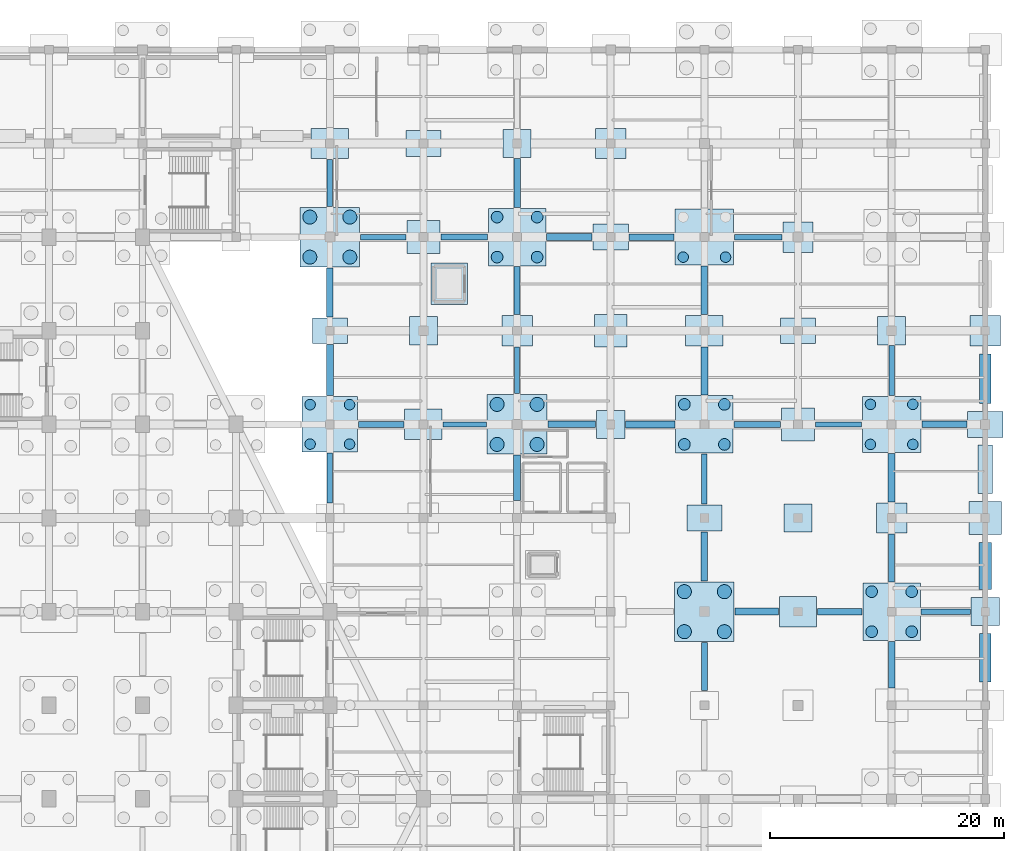
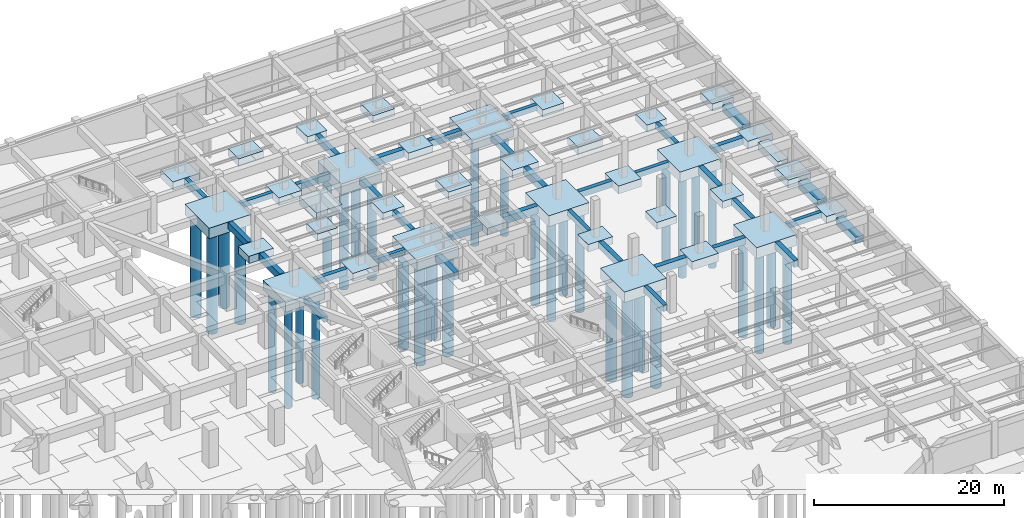
# One storey, part 14 of 36: 71 footings, 34 piles.
"""IFC4 building model written with IfcOpenShell, lengths in metres."""

import ifcopenshell
import ifcopenshell.guid

model = None  # the IFC model being written
_history = None  # IfcOwnerHistory: only IFC2X3 demands one
_inside = {}  # id of a spatial element -> (the spatial element, [elements in it])
_under = {}  # id of a project, library or spatial element -> (it, [spatial elements below it])
_declared = {}  # id of a project -> (the project, [libraries it declares])
_typed = {}  # id of a type object -> (the type object, [elements of that type])
_made_of = {}  # id of a material, layer set ... -> (it, [elements and type objects made of it])


def new_model(schema):
    """Start an empty IFC model of exactly this schema.

    Asked for "IFC4X3", IfcOpenShell would pick the latest addendum, in which some entities
    have other attributes; the version numbers below select the first issue.
    IFC2X3 requires an IfcOwnerHistory on every rooted entity: one is made here for all.
    """
    global model, _history
    if schema == "IFC4X3":
        model = ifcopenshell.file(schema_version=(4, 3, 0, 0))
    else:
        model = ifcopenshell.file(schema=schema)
    _inside.clear()
    _under.clear()
    _declared.clear()
    _typed.clear()
    _made_of.clear()
    _history = None
    if model.schema == "IFC2X3":
        org = make("IfcOrganization", Name="unknown")
        user = make(
            "IfcPersonAndOrganization",
            ThePerson=make("IfcPerson", FamilyName="unknown"),
            TheOrganization=org,
        )
        app = make(
            "IfcApplication",
            ApplicationDeveloper=org,
            Version="unknown",
            ApplicationFullName="unknown",
            ApplicationIdentifier="unknown",
        )
        _history = make(
            "IfcOwnerHistory",
            OwningUser=user,
            OwningApplication=app,
            ChangeAction="ADDED",
            CreationDate=0,
        )
    return model


def make(cls, **values):
    """One entity of the class cls with the attributes given. An attribute that is None is left unset."""
    return model.create_entity(
        cls, **{name: value for name, value in values.items() if value is not None}
    )


def rooted(cls, **values):
    """An entity with a GlobalId (a new one), such as an element, a storey or a relation."""
    return make(cls, GlobalId=ifcopenshell.guid.new(), OwnerHistory=_history, **values)


def si_unit(unit_type, name, prefix=None):
    """IfcSIUnit, for example si_unit("LENGTHUNIT", "METRE", prefix="MILLI")."""
    return make("IfcSIUnit", UnitType=unit_type, Prefix=prefix, Name=name)


def assignment(units):
    """IfcUnitAssignment: the units of a project."""
    return None if units is None else make("IfcUnitAssignment", Units=units)


def point(xyz):
    """IfcCartesianPoint."""
    return None if xyz is None else make("IfcCartesianPoint", Coordinates=xyz)


def direction(xyz):
    """IfcDirection."""
    return None if xyz is None else make("IfcDirection", DirectionRatios=xyz)


def frame(location, z_axis=None, x_axis=None):
    """IfcAxis2Placement3D, a coordinate frame: its origin and axes. An axis left out is left unset."""
    return make(
        "IfcAxis2Placement3D",
        Location=point(location),
        Axis=direction(z_axis),
        RefDirection=direction(x_axis),
    )


def frame_2d(location, x_axis=None):
    """IfcAxis2Placement2D, a coordinate frame in the plane: its origin and x axis."""
    return make(
        "IfcAxis2Placement2D", Location=point(location), RefDirection=direction(x_axis)
    )


def origin():
    """The frame at (0, 0, 0) with its axes left unset."""
    return frame((0.0, 0.0, 0.0))


def origin_2d():
    """The frame at (0, 0) in the plane with its x axis left unset."""
    return frame_2d((0.0, 0.0))


def place(relative_to, where):
    """IfcLocalPlacement: puts the frame where relative to a parent placement (None: the world)."""
    return make(
        "IfcLocalPlacement", PlacementRelTo=relative_to, RelativePlacement=where
    )


def context(
    kind, dimensions, precision=None, world=None, true_north=None, identifier=None
):
    """IfcGeometricRepresentationContext, for example the 3D "Model" context."""
    return make(
        "IfcGeometricRepresentationContext",
        ContextIdentifier=identifier,
        ContextType=kind,
        CoordinateSpaceDimension=dimensions,
        Precision=precision,
        WorldCoordinateSystem=world,
        TrueNorth=true_north,
    )


def subcontext(parent, identifier, kind, view, scale=None):
    """IfcGeometricRepresentationSubContext, for example "Body" below "Model"."""
    return make(
        "IfcGeometricRepresentationSubContext",
        ContextIdentifier=identifier,
        ContextType=kind,
        ParentContext=parent,
        TargetScale=scale,
        TargetView=view,
    )


def project(units=None, contexts=None):
    """IfcProject with its units and contexts."""
    return rooted(
        "IfcProject",
        Name="project",
        RepresentationContexts=contexts,
        UnitsInContext=assignment(units),
    )


def spatial(cls, under=None, at=None, **own):
    """A site, building, storey or space (cls), placed at a placement, below another one or the project."""
    s = rooted(cls, ObjectPlacement=at, **own)
    if under is not None:
        _under.setdefault(under.id(), (under, []))[1].append(s)
    return s


def profile(cls, at=None, kind="AREA", **sizes):
    """A parametric profile (cls). Its sizes go by their IFC names, for example OverallWidth=200.0."""
    return make(cls, ProfileType=kind, Position=at, **sizes)


def rectangle(**sizes):
    """IfcRectangleProfileDef."""
    return profile("IfcRectangleProfileDef", **sizes)


def circle(**sizes):
    """IfcCircleProfileDef."""
    return profile("IfcCircleProfileDef", **sizes)


def extrude(swept, where, along, depth):
    """IfcExtrudedAreaSolid: the profile swept, set in the frame where, extruded along a direction by depth."""
    return make(
        "IfcExtrudedAreaSolid",
        SweptArea=swept,
        Position=where,
        ExtrudedDirection=direction(along),
        Depth=depth,
    )


def shape(context_of_items, identifier, shape_type, items):
    """IfcShapeRepresentation: the items that make up one representation, for example the "Body"."""
    return make(
        "IfcShapeRepresentation",
        ContextOfItems=context_of_items,
        RepresentationIdentifier=identifier,
        RepresentationType=shape_type,
        Items=items,
    )


def material(Name=None, Category=None):
    """IfcMaterial."""
    return make("IfcMaterial", Name=Name, Category=Category)


def material_profile(
    of_material, cross_section, Name=None, Category=None, Priority=None
):
    """IfcMaterialProfile: a cross section and its material."""
    return make(
        "IfcMaterialProfile",
        Name=Name,
        Material=of_material,
        Profile=cross_section,
        Priority=Priority,
        Category=Category,
    )


def profile_set(profiles, Name=None, composite=None):
    """IfcMaterialProfileSet."""
    return make(
        "IfcMaterialProfileSet",
        Name=Name,
        MaterialProfiles=profiles,
        CompositeProfile=composite,
    )


def made_of(thing, what):
    """Note that an element or type object is made of a material, layer set ...; save() writes the relation."""
    if what is not None:
        _made_of.setdefault(what.id(), (what, []))[1].append(thing)
    return thing


def type_object(cls, material=None, **own):
    """A type object (cls), such as IfcWallType, which elements share."""
    return made_of(rooted(cls, **own), material)


def element(
    cls,
    number,
    at=None,
    inside=None,
    cuts=None,
    type_object=None,
    material=None,
    context=None,
    identifier="Body",
    shape_type=None,
    held_by="IfcProductDefinitionShape",
    body=None,
    shapes=None,
    **own,
):
    """One element of the class cls, such as IfcWall. Its Tag is "e" and its number.

    at: its placement. inside: the storey or other place that contains it. cuts: it is an
    opening in that element (IfcRelVoidsElement). A single representation is given by context,
    identifier, shape_type and body (its items); several are given by shapes. held_by: the class
    of the entity that holds the representations. save() writes the other relations.
    """
    e = rooted(cls, Tag="e%d" % number, ObjectPlacement=at, **own)
    if body is not None:
        shapes = [shape(context, identifier, shape_type, body)]
    if shapes is not None:
        e.Representation = make(held_by, Representations=shapes)
    if inside is not None:
        _inside.setdefault(inside.id(), (inside, []))[1].append(e)
    if cuts is not None:
        rooted(
            "IfcRelVoidsElement", RelatingBuildingElement=cuts, RelatedOpeningElement=e
        )
    if type_object is not None:
        _typed.setdefault(type_object.id(), (type_object, []))[1].append(e)
    return made_of(e, material)


def aggregate(whole, parts):
    """IfcRelAggregates: a whole, such as a stair, and the parts it consists of."""
    return rooted("IfcRelAggregates", RelatingObject=whole, RelatedObjects=parts)


def save(model, path):
    """Write the relations noted so far, then the file.

    IfcRelAggregates (storeys below a building ...), IfcRelContainedInSpatialStructure (elements
    in a storey), IfcRelDefinesByType, IfcRelAssociatesMaterial and IfcRelDeclares: one each for
    every whole, place, type object, material and project.
    """
    for whole, parts in _under.values():
        aggregate(whole, parts)
    for where, things in _inside.values():
        rooted(
            "IfcRelContainedInSpatialStructure",
            RelatedElements=things,
            RelatingStructure=where,
        )
    for kind, things in _typed.values():
        rooted("IfcRelDefinesByType", RelatedObjects=things, RelatingType=kind)
    for what, things in _made_of.values():
        rooted("IfcRelAssociatesMaterial", RelatedObjects=things, RelatingMaterial=what)
    for by, libraries in _declared.values():
        rooted("IfcRelDeclares", RelatingContext=by, RelatedDefinitions=libraries)
    model.write(path)


model = new_model("IFC4")

# Units and contexts
model_context = context("Model", 3, precision=1e-05, world=origin(), true_north=direction((0.0, 1.0)))
body_context = subcontext(model_context, "Body", "Model", "MODEL_VIEW")
ifc_project = project(units=[si_unit("LENGTHUNIT", "METRE"), si_unit("AREAUNIT", "SQUARE_METRE"), si_unit("VOLUMEUNIT", "CUBIC_METRE"), si_unit("PLANEANGLEUNIT", "RADIAN"), si_unit("MASSUNIT", "GRAM", prefix="KILO")], contexts=[model_context])

# Site, building, storey
site_placement = place(None, origin())
site = spatial("IfcSite", under=ifc_project, at=site_placement, CompositionType="ELEMENT")
building_placement = place(site_placement, origin())
building = spatial("IfcBuilding", under=site, at=building_placement, Name="Tazarka Park Arena", CompositionType="ELEMENT")
storey_placement = place(building_placement, frame((0.0, 0.0, -4.800048828125)))
storey = spatial("IfcBuildingStorey", under=building, at=storey_placement, Name="B1", CompositionType="ELEMENT", Elevation=-4.800048828125)

# Footings
ifc_material_1 = material(Name="Concrete C35/45", Category="concrete")
footing_type_1 = type_object("IfcFootingType", Name="CAP-PC-02", PredefinedType="PILE_CAP", material=ifc_material_1)
for number, where, z_axis, x_axis, name in (
    (1, (144.0, 112.0, -1.39990234375), (0.0, 0.0, 1.0), (1.0, 0.0, 0.0), "CAP-G-18-14"),
    (2, (160.0, 96.0, -1.39990234375), (0.0, 0.0, 1.0), (1.0, 0.0, 0.0), "CAP-G-20-12"),
    (3, (176.0, 80.0, -1.39990234375), (0.0, 0.0, 1.0), (1.0, 0.0, 0.0), "CAP-G-22-10"),
):
    element("IfcFooting", number, at=place(storey_placement, frame(where, z_axis=z_axis, x_axis=x_axis)), inside=storey, type_object=footing_type_1, Name=name, PredefinedType="PILE_CAP", context=body_context, shape_type="SweptSolid", body=[
        extrude(rectangle(XDim=4.89990234375, YDim=4.89990234375, at=origin_2d()), origin(), (0.0, 0.0, 1.0), 1.39990234375),
    ])
ifc_material_2 = material(Name="Concrete C35/45", Category="concrete")
footing_type_2 = type_object("IfcFootingType", Name="CAP-PC-04", PredefinedType="PILE_CAP", material=ifc_material_2)
for number, where, z_axis, x_axis, name in (
    (4, (160.0, 112.0, -1.2998046875), (0.0, 0.0, 1.0), (1.0, 0.0, 0.0), "CAP-G-20-14"),
    (5, (176.0, 96.0, -1.2998046875), (0.0, 0.0, 1.0), (1.0, 0.0, 0.0), "CAP-G-22-12"),
):
    element("IfcFooting", number, at=place(storey_placement, frame(where, z_axis=z_axis, x_axis=x_axis)), inside=storey, type_object=footing_type_2, Name=name, PredefinedType="PILE_CAP", context=body_context, shape_type="SweptSolid", body=[
        extrude(rectangle(XDim=5.0, YDim=4.800048828125, at=origin_2d()), origin(), (0.0, 0.0, 1.0), 1.300048828125),
    ])
ifc_material_3 = material(Name="Concrete C35/45", Category="concrete")
footing_type_3 = type_object("IfcFootingType", Name="CAP-PC-06", PredefinedType="PILE_CAP", material=ifc_material_3)
footing_1_placement = place(storey_placement, frame((128.0, 96.0, -1.25), z_axis=(0.0, 0.0, 1.0), x_axis=(1.0, 0.0, 0.0)))
element("IfcFooting", 6, at=footing_1_placement, inside=storey, type_object=footing_type_3, Name="CAP-G-16-12", PredefinedType="PILE_CAP", context=body_context, shape_type="SweptSolid", body=[
    extrude(rectangle(XDim=4.75, YDim=4.75, at=origin_2d()), origin(), (0.0, 0.0, 1.0), 1.25),
])
ifc_material_4 = material(Name="Concrete C35/45", Category="concrete")
footing_type_4 = type_object("IfcFootingType", Name="CAP-PC-08", PredefinedType="PILE_CAP", material=ifc_material_4)
for number, where, z_axis, x_axis, name in (
    (7, (128.0, 112.0, -1.35009765625), (0.0, 0.0, 1.0), (1.0, 0.0, 0.0), "CAP-G-16-14"),
    (8, (144.0, 96.0, -1.35009765625), (0.0, 0.0, 1.0), (1.0, 0.0, 0.0), "CAP-G-18-12"),
    (9, (160.0, 80.0, -1.35009765625), (0.0, 0.0, 1.0), (1.0, 0.0, 0.0), "CAP-G-20-10"),
):
    element("IfcFooting", number, at=place(storey_placement, frame(where, z_axis=z_axis, x_axis=x_axis)), inside=storey, type_object=footing_type_4, Name=name, PredefinedType="PILE_CAP", context=body_context, shape_type="SweptSolid", body=[
        extrude(rectangle(XDim=5.10009765625, YDim=5.10009765625, at=origin_2d()), origin(), (0.0, 0.0, 1.0), 1.35009765625),
    ])
ifc_material_5 = material(Name="Concrete C35/45", Category="concrete")
ifc_material_profile_1 = material_profile(ifc_material_5, rectangle(XDim=0.449951171875, YDim=0.699951171875, at=origin_2d()), Name="Concrete C35/45")
ifc_profile_set_1 = profile_set([ifc_material_profile_1], Name="Concrete C35/45")
footing_type_5 = type_object("IfcFootingType", Name="GB-GB-01", PredefinedType="FOOTING_BEAM", material=ifc_profile_set_1)
footing_2_placement = place(storey_placement, frame((128.0, 89.280029296875, -0.349853515625), z_axis=(0.0, 1.0, 0.0), x_axis=(-1.0, 0.0, 0.0)))
element("IfcFooting", 10, at=footing_2_placement, inside=storey, type_object=footing_type_5, Name="GB-Y-16-11", PredefinedType="FOOTING_BEAM", context=body_context, shape_type="SweptSolid", body=[
    extrude(rectangle(XDim=0.449951171875, YDim=0.699951171875, at=origin_2d()), origin(), (0.0, 0.0, 1.0), 4.264892578125),
])
footing_3_placement = place(storey_placement, frame((130.6298828125, 112.0, -0.349853515625), z_axis=(1.0, 0.0, 0.0), x_axis=(0.0, 1.0, 0.0)))
element("IfcFooting", 11, at=footing_3_placement, inside=storey, type_object=footing_type_5, Name="GB-X-16-14", PredefinedType="FOOTING_BEAM", context=body_context, shape_type="SweptSolid", body=[
    extrude(rectangle(XDim=0.449951171875, YDim=0.699951171875, at=origin_2d()), origin(), (0.0, 0.0, 1.0), 3.89013671875),
])
footing_4_placement = place(storey_placement, frame((137.679931640625, 96.0, -0.349853515625), z_axis=(1.0, 0.0, 0.0), x_axis=(0.0, 1.0, 0.0)))
element("IfcFooting", 12, at=footing_4_placement, inside=storey, type_object=footing_type_5, Name="GB-X-17-12", PredefinedType="FOOTING_BEAM", context=body_context, shape_type="SweptSolid", body=[
    extrude(rectangle(XDim=0.449951171875, YDim=0.699951171875, at=origin_2d()), origin(), (0.0, 0.0, 1.0), 3.690185546875),
])
footing_5_placement = place(storey_placement, frame((144.0, 98.6298828125, -0.349853515625), z_axis=(0.0, 1.0, 0.0), x_axis=(-1.0, 0.0, 0.0)))
element("IfcFooting", 13, at=footing_5_placement, inside=storey, type_object=footing_type_5, Name="GB-Y-18-12", PredefinedType="FOOTING_BEAM", context=body_context, shape_type="SweptSolid", body=[
    extrude(rectangle(XDim=0.449951171875, YDim=0.699951171875, at=origin_2d()), origin(), (0.0, 0.0, 1.0), 3.990234375),
])
footing_6_placement = place(storey_placement, frame((160.0, 89.179931640625, -0.349853515625), z_axis=(0.0, 1.0, 0.0), x_axis=(-1.0, 0.0, 0.0)))
element("IfcFooting", 14, at=footing_6_placement, inside=storey, type_object=footing_type_5, Name="GB-Y-20-11", PredefinedType="FOOTING_BEAM", context=body_context, shape_type="SweptSolid", body=[
    extrude(rectangle(XDim=0.449951171875, YDim=0.699951171875, at=origin_2d()), origin(), (0.0, 0.0, 1.0), 4.2900390625),
])
footing_7_placement = place(storey_placement, frame((162.580078125, 112.0, -0.349853515625), z_axis=(1.0, 0.0, 0.0), x_axis=(0.0, 1.0, 0.0)))
element("IfcFooting", 15, at=footing_7_placement, inside=storey, type_object=footing_type_5, Name="GB-X-20-14", PredefinedType="FOOTING_BEAM", context=body_context, shape_type="SweptSolid", body=[
    extrude(rectangle(XDim=0.449951171875, YDim=0.699951171875, at=origin_2d()), origin(), (0.0, 0.0, 1.0), 4.0400390625),
])
footing_8_placement = place(storey_placement, frame((169.47998046875, 96.0, -0.349853515625), z_axis=(1.0, 0.0, 0.0), x_axis=(0.0, 1.0, 0.0)))
element("IfcFooting", 16, at=footing_8_placement, inside=storey, type_object=footing_type_5, Name="GB-X-21-12", PredefinedType="FOOTING_BEAM", context=body_context, shape_type="SweptSolid", body=[
    extrude(rectangle(XDim=0.449951171875, YDim=0.699951171875, at=origin_2d()), origin(), (0.0, 0.0, 1.0), 3.93994140625),
])
footing_9_placement = place(storey_placement, frame((178.530029296875, 80.0, -0.349853515625), z_axis=(1.0, 0.0, 0.0), x_axis=(0.0, 1.0, 0.0)))
element("IfcFooting", 17, at=footing_9_placement, inside=storey, type_object=footing_type_5, Name="GB-X-22-10", PredefinedType="FOOTING_BEAM", context=body_context, shape_type="SweptSolid", body=[
    extrude(rectangle(XDim=0.449951171875, YDim=0.699951171875, at=origin_2d()), origin(), (0.0, 0.0, 1.0), 4.18994140625),
])
footing_10_placement = place(storey_placement, frame((176.0, 98.47998046875, -0.349853515625), z_axis=(0.0, 1.0, 0.0), x_axis=(-1.0, 0.0, 0.0)))
element("IfcFooting", 18, at=footing_10_placement, inside=storey, type_object=footing_type_5, Name="GB-Y-22-12", PredefinedType="FOOTING_BEAM", context=body_context, shape_type="SweptSolid", body=[
    extrude(rectangle(XDim=0.449951171875, YDim=0.699951171875, at=origin_2d()), origin(), (0.0, 0.0, 1.0), 4.239990234375),
])
ifc_material_6 = material(Name="Concrete C35/45", Category="concrete")
ifc_material_profile_2 = material_profile(ifc_material_6, rectangle(XDim=0.5, YDim=0.800048828125, at=origin_2d()), Name="Concrete C35/45")
ifc_profile_set_2 = profile_set([ifc_material_profile_2], Name="Concrete C35/45")
footing_type_6 = type_object("IfcFootingType", Name="GB-GB-02", PredefinedType="FOOTING_BEAM", material=ifc_profile_set_2)
footing_11_placement = place(storey_placement, frame((130.455078125, 96.0, -0.39990234375), z_axis=(1.0, 0.0, 0.0), x_axis=(0.0, 1.0, 0.0)))
element("IfcFooting", 19, at=footing_11_placement, inside=storey, type_object=footing_type_6, Name="GB-X-16-12", PredefinedType="FOOTING_BEAM", context=body_context, shape_type="SweptSolid", body=[
    extrude(rectangle(XDim=0.5, YDim=0.800048828125, at=origin_2d()), origin(), (0.0, 0.0, 1.0), 3.864990234375),
])
footing_12_placement = place(storey_placement, frame((128.0, 114.6298828125, -0.39990234375), z_axis=(0.0, 1.0, 0.0), x_axis=(-1.0, 0.0, 0.0)))
element("IfcFooting", 20, at=footing_12_placement, inside=storey, type_object=footing_type_6, Name="GB-Y-16-14", PredefinedType="FOOTING_BEAM", context=body_context, shape_type="SweptSolid", body=[
    extrude(rectangle(XDim=0.5, YDim=0.800048828125, at=origin_2d()), origin(), (0.0, 0.0, 1.0), 3.990234375),
])
footing_13_placement = place(storey_placement, frame((137.47998046875, 112.0, -0.39990234375), z_axis=(1.0, 0.0, 0.0), x_axis=(0.0, 1.0, 0.0)))
element("IfcFooting", 21, at=footing_13_placement, inside=storey, type_object=footing_type_6, Name="GB-X-17-14", PredefinedType="FOOTING_BEAM", context=body_context, shape_type="SweptSolid", body=[
    extrude(rectangle(XDim=0.5, YDim=0.800048828125, at=origin_2d()), origin(), (0.0, 0.0, 1.0), 3.989990234375),
])
for number, where, z_axis, x_axis, name in (
    (22, (144.0, 105.3798828125, -0.39990234375), (0.0, 1.0, 0.0), (-1.0, 0.0, 0.0), "GB-Y-18-13"),
    (23, (160.0, 73.280029296875, -0.39990234375), (0.0, 1.0, 0.0), (-1.0, 0.0, 0.0), "GB-Y-20-09"),
):
    element("IfcFooting", number, at=place(storey_placement, frame(where, z_axis=z_axis, x_axis=x_axis)), inside=storey, type_object=footing_type_6, Name=name, PredefinedType="FOOTING_BEAM", context=body_context, shape_type="SweptSolid", body=[
        extrude(rectangle(XDim=0.5, YDim=0.800048828125, at=origin_2d()), origin(), (0.0, 0.0, 1.0), 4.090087890625),
    ])
footing_14_placement = place(storey_placement, frame((162.530029296875, 96.0, -0.39990234375), z_axis=(1.0, 0.0, 0.0), x_axis=(0.0, 1.0, 0.0)))
element("IfcFooting", 24, at=footing_14_placement, inside=storey, type_object=footing_type_6, Name="GB-X-20-12", PredefinedType="FOOTING_BEAM", context=body_context, shape_type="SweptSolid", body=[
    extrude(rectangle(XDim=0.5, YDim=0.800048828125, at=origin_2d()), origin(), (0.0, 0.0, 1.0), 3.989990234375),
])
footing_15_placement = place(storey_placement, frame((176.0, 82.530029296875, -0.39990234375), z_axis=(0.0, 1.0, 0.0), x_axis=(-1.0, 0.0, 0.0)))
element("IfcFooting", 25, at=footing_15_placement, inside=storey, type_object=footing_type_6, Name="GB-Y-22-10", PredefinedType="FOOTING_BEAM", context=body_context, shape_type="SweptSolid", body=[
    extrude(rectangle(XDim=0.5, YDim=0.800048828125, at=origin_2d()), origin(), (0.0, 0.0, 1.0), 4.090087890625),
])
ifc_material_7 = material(Name="Concrete C35/45", Category="concrete")
ifc_material_profile_3 = material_profile(ifc_material_7, rectangle(XDim=0.60009765625, YDim=0.949951171875, at=origin_2d()), Name="Concrete C35/45")
ifc_profile_set_3 = profile_set([ifc_material_profile_3], Name="Concrete C35/45")
footing_type_7 = type_object("IfcFootingType", Name="GB-GB-03", PredefinedType="FOOTING_BEAM", material=ifc_profile_set_3)
footing_16_placement = place(storey_placement, frame((128.0, 98.455078125, -0.474853515625), z_axis=(0.0, 1.0, 0.0), x_axis=(-1.0, 0.0, 0.0)))
element("IfcFooting", 26, at=footing_16_placement, inside=storey, type_object=footing_type_7, Name="GB-Y-16-12", PredefinedType="FOOTING_BEAM", context=body_context, shape_type="SweptSolid", body=[
    extrude(rectangle(XDim=0.60009765625, YDim=0.949951171875, at=origin_2d()), origin(), (0.0, 0.0, 1.0), 4.364990234375),
])
footing_17_placement = place(storey_placement, frame((144.0, 89.47998046875, -0.474853515625), z_axis=(0.0, 1.0, 0.0), x_axis=(-1.0, 0.0, 0.0)))
element("IfcFooting", 27, at=footing_17_placement, inside=storey, type_object=footing_type_7, Name="GB-Y-18-11", PredefinedType="FOOTING_BEAM", context=body_context, shape_type="SweptSolid", body=[
    extrude(rectangle(XDim=0.60009765625, YDim=0.949951171875, at=origin_2d()), origin(), (0.0, 0.0, 1.0), 3.89013671875),
])
footing_18_placement = place(storey_placement, frame((146.530029296875, 112.0, -0.474853515625), z_axis=(1.0, 0.0, 0.0), x_axis=(0.0, 1.0, 0.0)))
element("IfcFooting", 28, at=footing_18_placement, inside=storey, type_object=footing_type_7, Name="GB-X-18-14", PredefinedType="FOOTING_BEAM", context=body_context, shape_type="SweptSolid", body=[
    extrude(rectangle(XDim=0.60009765625, YDim=0.949951171875, at=origin_2d()), origin(), (0.0, 0.0, 1.0), 3.889892578125),
])
footing_19_placement = place(storey_placement, frame((153.280029296875, 96.0, -0.474853515625), z_axis=(1.0, 0.0, 0.0), x_axis=(0.0, 1.0, 0.0)))
element("IfcFooting", 29, at=footing_19_placement, inside=storey, type_object=footing_type_7, Name="GB-X-19-12", PredefinedType="FOOTING_BEAM", context=body_context, shape_type="SweptSolid", body=[
    extrude(rectangle(XDim=0.60009765625, YDim=0.949951171875, at=origin_2d()), origin(), (0.0, 0.0, 1.0), 4.18994140625),
])
footing_20_placement = place(storey_placement, frame((162.6298828125, 80.0, -0.474853515625), z_axis=(1.0, 0.0, 0.0), x_axis=(0.0, 1.0, 0.0)))
element("IfcFooting", 30, at=footing_20_placement, inside=storey, type_object=footing_type_7, Name="GB-X-20-10", PredefinedType="FOOTING_BEAM", context=body_context, shape_type="SweptSolid", body=[
    extrude(rectangle(XDim=0.60009765625, YDim=0.949951171875, at=origin_2d()), origin(), (0.0, 0.0, 1.0), 3.690185546875),
])
footing_21_placement = place(storey_placement, frame((160.0, 98.530029296875, -0.474853515625), z_axis=(0.0, 1.0, 0.0), x_axis=(-1.0, 0.0, 0.0)))
element("IfcFooting", 31, at=footing_21_placement, inside=storey, type_object=footing_type_7, Name="GB-Y-20-12", PredefinedType="FOOTING_BEAM", context=body_context, shape_type="SweptSolid", body=[
    extrude(rectangle(XDim=0.60009765625, YDim=0.949951171875, at=origin_2d()), origin(), (0.0, 0.0, 1.0), 4.090087890625),
])
footing_22_placement = place(storey_placement, frame((176.0, 89.3798828125, -0.474853515625), z_axis=(0.0, 1.0, 0.0), x_axis=(-1.0, 0.0, 0.0)))
element("IfcFooting", 32, at=footing_22_placement, inside=storey, type_object=footing_type_7, Name="GB-Y-22-11", PredefinedType="FOOTING_BEAM", context=body_context, shape_type="SweptSolid", body=[
    extrude(rectangle(XDim=0.60009765625, YDim=0.949951171875, at=origin_2d()), origin(), (0.0, 0.0, 1.0), 4.14013671875),
])
ifc_material_8 = material(Name="Concrete C35/45", Category="concrete")
ifc_material_profile_4 = material_profile(ifc_material_8, rectangle(XDim=0.550048828125, YDim=0.85009765625, at=origin_2d()), Name="Concrete C35/45")
ifc_profile_set_4 = profile_set([ifc_material_profile_4], Name="Concrete C35/45")
footing_type_8 = type_object("IfcFootingType", Name="GB-GB-04", PredefinedType="FOOTING_BEAM", material=ifc_profile_set_4)
footing_23_placement = place(storey_placement, frame((128.0, 105.179931640625, -0.425048828125), z_axis=(0.0, 1.0, 0.0), x_axis=(-1.0, 0.0, 0.0)))
element("IfcFooting", 33, at=footing_23_placement, inside=storey, type_object=footing_type_8, Name="GB-Y-16-13", PredefinedType="FOOTING_BEAM", context=body_context, shape_type="SweptSolid", body=[
    extrude(rectangle(XDim=0.550048828125, YDim=0.85009765625, at=origin_2d()), origin(), (0.0, 0.0, 1.0), 4.190185546875),
])
footing_24_placement = place(storey_placement, frame((146.6298828125, 96.0, -0.425048828125), z_axis=(1.0, 0.0, 0.0), x_axis=(0.0, 1.0, 0.0)))
element("IfcFooting", 34, at=footing_24_placement, inside=storey, type_object=footing_type_8, Name="GB-X-18-12", PredefinedType="FOOTING_BEAM", context=body_context, shape_type="SweptSolid", body=[
    extrude(rectangle(XDim=0.550048828125, YDim=0.85009765625, at=origin_2d()), origin(), (0.0, 0.0, 1.0), 4.090087890625),
])
footing_25_placement = place(storey_placement, frame((144.0, 114.530029296875, -0.425048828125), z_axis=(0.0, 1.0, 0.0), x_axis=(-1.0, 0.0, 0.0)))
element("IfcFooting", 35, at=footing_25_placement, inside=storey, type_object=footing_type_8, Name="GB-Y-18-14", PredefinedType="FOOTING_BEAM", context=body_context, shape_type="SweptSolid", body=[
    extrude(rectangle(XDim=0.550048828125, YDim=0.85009765625, at=origin_2d()), origin(), (0.0, 0.0, 1.0), 4.18994140625),
])
footing_26_placement = place(storey_placement, frame((153.580078125, 112.0, -0.425048828125), z_axis=(1.0, 0.0, 0.0), x_axis=(0.0, 1.0, 0.0)))
element("IfcFooting", 36, at=footing_26_placement, inside=storey, type_object=footing_type_8, Name="GB-X-19-14", PredefinedType="FOOTING_BEAM", context=body_context, shape_type="SweptSolid", body=[
    extrude(rectangle(XDim=0.550048828125, YDim=0.85009765625, at=origin_2d()), origin(), (0.0, 0.0, 1.0), 3.83984375),
])
footing_27_placement = place(storey_placement, frame((160.0, 82.6298828125, -0.425048828125), z_axis=(0.0, 1.0, 0.0), x_axis=(-1.0, 0.0, 0.0)))
element("IfcFooting", 37, at=footing_27_placement, inside=storey, type_object=footing_type_8, Name="GB-Y-20-10", PredefinedType="FOOTING_BEAM", context=body_context, shape_type="SweptSolid", body=[
    extrude(rectangle(XDim=0.550048828125, YDim=0.85009765625, at=origin_2d()), origin(), (0.0, 0.0, 1.0), 4.190185546875),
])
footing_28_placement = place(storey_placement, frame((160.0, 105.3798828125, -0.425048828125), z_axis=(0.0, 1.0, 0.0), x_axis=(-1.0, 0.0, 0.0)))
element("IfcFooting", 38, at=footing_28_placement, inside=storey, type_object=footing_type_8, Name="GB-Y-20-13", PredefinedType="FOOTING_BEAM", context=body_context, shape_type="SweptSolid", body=[
    extrude(rectangle(XDim=0.550048828125, YDim=0.85009765625, at=origin_2d()), origin(), (0.0, 0.0, 1.0), 4.14013671875),
])
footing_29_placement = place(storey_placement, frame((169.679931640625, 80.0, -0.425048828125), z_axis=(1.0, 0.0, 0.0), x_axis=(0.0, 1.0, 0.0)))
element("IfcFooting", 39, at=footing_29_placement, inside=storey, type_object=footing_type_8, Name="GB-X-21-10", PredefinedType="FOOTING_BEAM", context=body_context, shape_type="SweptSolid", body=[
    extrude(rectangle(XDim=0.550048828125, YDim=0.85009765625, at=origin_2d()), origin(), (0.0, 0.0, 1.0), 3.7900390625),
])
footing_30_placement = place(storey_placement, frame((176.0, 73.47998046875, -0.425048828125), z_axis=(0.0, 1.0, 0.0), x_axis=(-1.0, 0.0, 0.0)))
element("IfcFooting", 40, at=footing_30_placement, inside=storey, type_object=footing_type_8, Name="GB-Y-22-09", PredefinedType="FOOTING_BEAM", context=body_context, shape_type="SweptSolid", body=[
    extrude(rectangle(XDim=0.550048828125, YDim=0.85009765625, at=origin_2d()), origin(), (0.0, 0.0, 1.0), 3.989990234375),
])
footing_31_placement = place(storey_placement, frame((178.580078125, 96.0, -0.425048828125), z_axis=(1.0, 0.0, 0.0), x_axis=(0.0, 1.0, 0.0)))
element("IfcFooting", 41, at=footing_31_placement, inside=storey, type_object=footing_type_8, Name="GB-X-22-12", PredefinedType="FOOTING_BEAM", context=body_context, shape_type="SweptSolid", body=[
    extrude(rectangle(XDim=0.550048828125, YDim=0.85009765625, at=origin_2d()), origin(), (0.0, 0.0, 1.0), 3.83984375),
])
ifc_material_9 = material(Name="Concrete C35/45", Category="concrete")
footing_type_9 = type_object("IfcFootingType", Name="PAD-PF-01", PredefinedType="PAD_FOOTING", material=ifc_material_9)
for number, where, z_axis, x_axis, name in (
    (42, (136.0, 104.0, -0.89990234375), (0.0, 0.0, 1.0), (1.0, 0.0, 0.0), "PAD-G-17-13"),
    (43, (144.0, 120.0, -0.89990234375), (0.0, 0.0, 1.0), (1.0, 0.0, 0.0), "PAD-G-18-15"),
    (44, (152.0, 96.0, -0.89990234375), (0.0, 0.0, 1.0), (1.0, 0.0, 0.0), "PAD-G-19-12"),
    (45, (168.0, 88.0, -0.89990234375), (0.0, 0.0, 1.0), (1.0, 0.0, 0.0), "PAD-G-21-11"),
    (46, (176.0, 104.0, -0.89990234375), (0.0, 0.0, 1.0), (1.0, 0.0, 0.0), "PAD-G-22-13"),
    (47, (184.0, 80.0, -0.89990234375), (0.0, 0.0, 1.0), (1.0, 0.0, 0.0), "PAD-G-23-10"),
):
    element("IfcFooting", number, at=place(storey_placement, frame(where, z_axis=z_axis, x_axis=x_axis)), inside=storey, type_object=footing_type_9, Name=name, PredefinedType="PAD_FOOTING", context=body_context, shape_type="SweptSolid", body=[
        extrude(rectangle(XDim=2.39990234375, YDim=2.39990234375, at=origin_2d()), origin(), (0.0, 0.0, 1.0), 0.89990234375),
    ])
ifc_material_10 = material(Name="Concrete C35/45", Category="concrete")
footing_type_10 = type_object("IfcFootingType", Name="PAD-PF-02", PredefinedType="PAD_FOOTING", material=ifc_material_10)
for number, where, z_axis, x_axis, name in (
    (48, (136.0, 112.0, -1.0), (0.0, 0.0, 1.0), (1.0, 0.0, 0.0), "PAD-G-17-14"),
    (49, (152.0, 104.0, -1.0), (0.0, 0.0, 1.0), (1.0, 0.0, 0.0), "PAD-G-19-13"),
    (50, (168.0, 96.0, -1.0), (0.0, 0.0, 1.0), (1.0, 0.0, 0.0), "PAD-G-21-12"),
    (51, (184.0, 88.0, -1.0), (0.0, 0.0, 1.0), (1.0, 0.0, 0.0), "PAD-G-23-11"),
):
    element("IfcFooting", number, at=place(storey_placement, frame(where, z_axis=z_axis, x_axis=x_axis)), inside=storey, type_object=footing_type_10, Name=name, PredefinedType="PAD_FOOTING", context=body_context, shape_type="SweptSolid", body=[
        extrude(rectangle(XDim=2.800048828125, YDim=2.800048828125, at=origin_2d()), origin(), (0.0, 0.0, 1.0), 1.0),
    ])
ifc_material_11 = material(Name="Concrete C35/45", Category="concrete")
footing_type_11 = type_object("IfcFootingType", Name="PAD-PF-03", PredefinedType="PAD_FOOTING", material=ifc_material_11)
for number, where, z_axis, x_axis, name in (
    (52, (128.0, 104.0, -0.94970703125), (0.0, 0.0, 1.0), (1.0, 0.0, 0.0), "PAD-G-16-13"),
    (53, (136.0, 120.0, -0.94970703125), (0.0, 0.0, 1.0), (1.0, 0.0, 0.0), "PAD-G-17-15"),
    (54, (152.0, 112.0, -0.94970703125), (0.0, 0.0, 1.0), (1.0, 0.0, 0.0), "PAD-G-19-14"),
    (55, (160.0, 88.0, -0.94970703125), (0.0, 0.0, 1.0), (1.0, 0.0, 0.0), "PAD-G-20-11"),
    (56, (168.0, 104.0, -0.94970703125), (0.0, 0.0, 1.0), (1.0, 0.0, 0.0), "PAD-G-21-13"),
    (57, (184.0, 96.0, -0.94970703125), (0.0, 0.0, 1.0), (1.0, 0.0, 0.0), "PAD-G-23-12"),
):
    element("IfcFooting", number, at=place(storey_placement, frame(where, z_axis=z_axis, x_axis=x_axis)), inside=storey, type_object=footing_type_11, Name=name, PredefinedType="PAD_FOOTING", context=body_context, shape_type="SweptSolid", body=[
        extrude(rectangle(XDim=3.0, YDim=2.199951171875, at=origin_2d()), origin(), (0.0, 0.0, 1.0), 0.949951171875),
    ])
ifc_material_12 = material(Name="Concrete C35/45", Category="concrete")
footing_type_12 = type_object("IfcFootingType", Name="PAD-PF-04", PredefinedType="PAD_FOOTING", material=ifc_material_12)
for number, where, z_axis, x_axis, name in (
    (58, (144.0, 104.0, -0.919921875), (0.0, 0.0, 1.0), (1.0, 0.0, 0.0), "PAD-G-18-13"),
    (59, (152.0, 120.0, -0.919921875), (0.0, 0.0, 1.0), (1.0, 0.0, 0.0), "PAD-G-19-15"),
    (60, (168.0, 112.0, -0.919921875), (0.0, 0.0, 1.0), (1.0, 0.0, 0.0), "PAD-G-21-14"),
    (61, (176.0, 88.0, -0.919921875), (0.0, 0.0, 1.0), (1.0, 0.0, 0.0), "PAD-G-22-11"),
    (62, (184.0, 104.0, -0.919921875), (0.0, 0.0, 1.0), (1.0, 0.0, 0.0), "PAD-G-23-13"),
):
    element("IfcFooting", number, at=place(storey_placement, frame(where, z_axis=z_axis, x_axis=x_axis)), inside=storey, type_object=footing_type_12, Name=name, PredefinedType="PAD_FOOTING", context=body_context, shape_type="SweptSolid", body=[
        extrude(rectangle(XDim=2.60009765625, YDim=2.60009765625, at=origin_2d()), origin(), (0.0, 0.0, 1.0), 0.919921875),
    ])
ifc_material_13 = material(Name="Concrete C35/45", Category="concrete")
footing_type_13 = type_object("IfcFootingType", Name="PAD-PF-05", PredefinedType="PAD_FOOTING", material=ifc_material_13)
for number, where, z_axis, x_axis, name in (
    (63, (128.0, 120.0, -1.0498046875), (0.0, 0.0, 1.0), (1.0, 0.0, 0.0), "PAD-G-16-15"),
    (64, (136.0, 96.0, -1.0498046875), (0.0, 0.0, 1.0), (1.0, 0.0, 0.0), "PAD-G-17-12"),
    (65, (160.0, 104.0, -1.0498046875), (0.0, 0.0, 1.0), (1.0, 0.0, 0.0), "PAD-G-20-13"),
    (66, (168.0, 80.0, -1.0498046875), (0.0, 0.0, 1.0), (1.0, 0.0, 0.0), "PAD-G-21-10"),
):
    element("IfcFooting", number, at=place(storey_placement, frame(where, z_axis=z_axis, x_axis=x_axis)), inside=storey, type_object=footing_type_13, Name=name, PredefinedType="PAD_FOOTING", context=body_context, shape_type="SweptSolid", body=[
        extrude(rectangle(XDim=3.199951171875, YDim=2.60009765625, at=origin_2d()), origin(), (0.0, 0.0, 1.0), 1.050048828125),
    ])
footing_32_placement = place(storey_placement, frame((138.199951171875, 108.0, -1.0498046875), z_axis=(0.0, 0.0, 1.0), x_axis=(1.0, 0.0, 0.0)))
element("IfcFooting", 67, at=footing_32_placement, inside=storey, type_object=footing_type_13, Name="PAD-LF-LF-12", PredefinedType="PAD_FOOTING", context=body_context, shape_type="SweptSolid", body=[
    extrude(rectangle(XDim=3.139892578125, YDim=3.5400390625, at=origin_2d()), origin(), (0.0, 0.0, 1.0), 1.050048828125),
])

# Piles
ifc_material_14 = material(Name="Concrete C35/45", Category="concrete")
ifc_material_profile_5 = material_profile(ifc_material_14, circle(Radius=0.5, at=origin_2d()), Name="Concrete C35/45")
ifc_profile_set_5 = profile_set([ifc_material_profile_5], Name="Concrete C35/45")
pile_type_1 = type_object("IfcPileType", Name="PILE-D1000", PredefinedType="BORED", material=ifc_profile_set_5)
for number, where, z_axis, x_axis, name in (
    (68, (142.2900390625, 110.2900390625, -1.300048828125), (0.0, 0.0, -1.0), (1.0, 0.0, 0.0), "PLN-G-18-14-1"),
    (69, (145.7099609375, 110.2900390625, -1.300048828125), (0.0, 0.0, -1.0), (1.0, 0.0, 0.0), "PLN-G-18-14-2"),
    (70, (142.2900390625, 113.7099609375, -1.300048828125), (0.0, 0.0, -1.0), (1.0, 0.0, 0.0), "PLN-G-18-14-3"),
    (71, (145.7099609375, 113.7099609375, -1.300048828125), (0.0, 0.0, -1.0), (1.0, 0.0, 0.0), "PLN-G-18-14-4"),
    (72, (158.2900390625, 94.2900390625, -1.300048828125), (0.0, 0.0, -1.0), (1.0, 0.0, 0.0), "PLN-G-20-12-1"),
    (73, (161.7099609375, 94.2900390625, -1.300048828125), (0.0, 0.0, -1.0), (1.0, 0.0, 0.0), "PLN-G-20-12-2"),
    (74, (158.2900390625, 97.7099609375, -1.300048828125), (0.0, 0.0, -1.0), (1.0, 0.0, 0.0), "PLN-G-20-12-3"),
    (75, (161.7099609375, 97.7099609375, -1.300048828125), (0.0, 0.0, -1.0), (1.0, 0.0, 0.0), "PLN-G-20-12-4"),
    (76, (174.2900390625, 78.2900390625, -1.300048828125), (0.0, 0.0, -1.0), (1.0, 0.0, 0.0), "PLN-G-22-10-1"),
    (77, (177.7099609375, 78.2900390625, -1.300048828125), (0.0, 0.0, -1.0), (1.0, 0.0, 0.0), "PLN-G-22-10-2"),
    (78, (174.2900390625, 81.7099609375, -1.300048828125), (0.0, 0.0, -1.0), (1.0, 0.0, 0.0), "PLN-G-22-10-3"),
    (79, (177.7099609375, 81.7099609375, -1.300048828125), (0.0, 0.0, -1.0), (1.0, 0.0, 0.0), "PLN-G-22-10-4"),
):
    element("IfcPile", number, at=place(storey_placement, frame(where, z_axis=z_axis, x_axis=x_axis)), inside=storey, type_object=pile_type_1, Name=name, PredefinedType="BORED", context=body_context, shape_type="SweptSolid", body=[
        extrude(circle(Radius=0.5, at=origin_2d()), origin(), (0.0, 0.0, 1.0), 12.699951171875),
    ])
ifc_material_15 = material(Name="Concrete C35/45", Category="concrete")
ifc_material_profile_6 = material_profile(ifc_material_15, circle(Radius=0.60009765625, at=origin_2d()), Name="Concrete C35/45")
ifc_profile_set_6 = profile_set([ifc_material_profile_6], Name="Concrete C35/45")
pile_type_2 = type_object("IfcPileType", Name="PILE-D1200", PredefinedType="BORED", material=ifc_profile_set_6)
for number, where, z_axis, x_axis, name in (
    (80, (126.2900390625, 110.2900390625, -1.25), (0.0, 0.0, -1.0), (1.0, 0.0, 0.0), "PLN-G-16-14-1"),
    (81, (129.7099609375, 110.2900390625, -1.25), (0.0, 0.0, -1.0), (1.0, 0.0, 0.0), "PLN-G-16-14-2"),
    (82, (126.2900390625, 113.7099609375, -1.25), (0.0, 0.0, -1.0), (1.0, 0.0, 0.0), "PLN-G-16-14-3"),
    (83, (129.7099609375, 113.7099609375, -1.25), (0.0, 0.0, -1.0), (1.0, 0.0, 0.0), "PLN-G-16-14-4"),
    (84, (142.2900390625, 94.2900390625, -1.25), (0.0, 0.0, -1.0), (1.0, 0.0, 0.0), "PLN-G-18-12-1"),
    (85, (145.7099609375, 94.2900390625, -1.25), (0.0, 0.0, -1.0), (1.0, 0.0, 0.0), "PLN-G-18-12-2"),
    (86, (142.2900390625, 97.7099609375, -1.25), (0.0, 0.0, -1.0), (1.0, 0.0, 0.0), "PLN-G-18-12-3"),
    (87, (145.7099609375, 97.7099609375, -1.25), (0.0, 0.0, -1.0), (1.0, 0.0, 0.0), "PLN-G-18-12-4"),
    (88, (158.2900390625, 78.2900390625, -1.25), (0.0, 0.0, -1.0), (1.0, 0.0, 0.0), "PLN-G-20-10-1"),
    (89, (161.7099609375, 78.2900390625, -1.25), (0.0, 0.0, -1.0), (1.0, 0.0, 0.0), "PLN-G-20-10-2"),
    (90, (158.2900390625, 81.7099609375, -1.25), (0.0, 0.0, -1.0), (1.0, 0.0, 0.0), "PLN-G-20-10-3"),
    (91, (161.7099609375, 81.7099609375, -1.25), (0.0, 0.0, -1.0), (1.0, 0.0, 0.0), "PLN-G-20-10-4"),
):
    element("IfcPile", number, at=place(storey_placement, frame(where, z_axis=z_axis, x_axis=x_axis)), inside=storey, type_object=pile_type_2, Name=name, PredefinedType="BORED", context=body_context, shape_type="SweptSolid", body=[
        extrude(circle(Radius=0.60009765625, at=origin_2d()), origin(), (0.0, 0.0, 1.0), 12.75),
    ])
ifc_material_16 = material(Name="Concrete C35/45", Category="concrete")
ifc_material_profile_7 = material_profile(ifc_material_16, circle(Radius=0.449951171875, at=origin_2d()), Name="Concrete C35/45")
ifc_profile_set_7 = profile_set([ifc_material_profile_7], Name="Concrete C35/45")
pile_type_3 = type_object("IfcPileType", Name="PILE-D900", PredefinedType="BORED", material=ifc_profile_set_7)
for number, where, z_axis, x_axis, name in (
    (92, (126.31494140625, 94.31494140625, -1.14990234375), (0.0, 0.0, -1.0), (1.0, 0.0, 0.0), "PLN-G-16-12-1"),
    (93, (129.68505859375, 94.31494140625, -1.14990234375), (0.0, 0.0, -1.0), (1.0, 0.0, 0.0), "PLN-G-16-12-2"),
    (94, (126.31494140625, 97.68505859375, -1.14990234375), (0.0, 0.0, -1.0), (1.0, 0.0, 0.0), "PLN-G-16-12-3"),
    (95, (129.68505859375, 97.68505859375, -1.14990234375), (0.0, 0.0, -1.0), (1.0, 0.0, 0.0), "PLN-G-16-12-4"),
):
    element("IfcPile", number, at=place(storey_placement, frame(where, z_axis=z_axis, x_axis=x_axis)), inside=storey, type_object=pile_type_3, Name=name, PredefinedType="BORED", context=body_context, shape_type="SweptSolid", body=[
        extrude(circle(Radius=0.449951171875, at=origin_2d()), origin(), (0.0, 0.0, 1.0), 12.85009765625),
    ])
for number, where, z_axis, x_axis, name in (
    (96, (158.18994140625, 110.2900390625, -1.199951171875), (0.0, 0.0, -1.0), (1.0, 0.0, 0.0), "PLN-G-20-14-1"),
    (97, (161.81005859375, 110.2900390625, -1.199951171875), (0.0, 0.0, -1.0), (1.0, 0.0, 0.0), "PLN-G-20-14-2"),
    (98, (174.18994140625, 94.2900390625, -1.199951171875), (0.0, 0.0, -1.0), (1.0, 0.0, 0.0), "PLN-G-22-12-1"),
    (99, (177.81005859375, 94.2900390625, -1.199951171875), (0.0, 0.0, -1.0), (1.0, 0.0, 0.0), "PLN-G-22-12-2"),
    (100, (174.18994140625, 97.7099609375, -1.199951171875), (0.0, 0.0, -1.0), (1.0, 0.0, 0.0), "PLN-G-22-12-3"),
    (101, (177.81005859375, 97.7099609375, -1.199951171875), (0.0, 0.0, -1.0), (1.0, 0.0, 0.0), "PLN-G-22-12-4"),
):
    element("IfcPile", number, at=place(storey_placement, frame(where, z_axis=z_axis, x_axis=x_axis)), inside=storey, type_object=pile_type_3, Name=name, PredefinedType="BORED", context=body_context, shape_type="SweptSolid", body=[
        extrude(circle(Radius=0.449951171875, at=origin_2d()), origin(), (0.0, 0.0, 1.0), 12.800048828125),
    ])

# Footings
ifc_material_17 = material(Name="Concrete C35/45", Category="concrete")
ifc_material_profile_8 = material_profile(ifc_material_17, rectangle(XDim=0.949951171875, YDim=0.85009765625, at=origin_2d()), Name="Concrete C35/45")
ifc_profile_set_8 = profile_set([ifc_material_profile_8], Name="Concrete C35/45")
footing_type_14 = type_object("IfcFootingType", Name="SF-SF-01", PredefinedType="STRIP_FOOTING", material=ifc_profile_set_8)
footing_33_placement = place(storey_placement, frame((184.0, 78.1201171875, -0.425048828125), z_axis=(0.0, -1.0, 0.0), x_axis=(1.0, 0.0, 0.0)))
element("IfcFooting", 102, at=footing_33_placement, inside=storey, type_object=footing_type_14, Name="SF-EW-0006", PredefinedType="STRIP_FOOTING", context=body_context, shape_type="SweptSolid", body=[
    extrude(rectangle(XDim=0.949951171875, YDim=0.85009765625, at=origin_2d()), origin(), (0.0, 0.0, 1.0), 4.14013671875),
])
footing_34_placement = place(storey_placement, frame((184.0, 102.02001953125, -0.425048828125), z_axis=(0.0, -1.0, 0.0), x_axis=(1.0, 0.0, 0.0)))
element("IfcFooting", 103, at=footing_34_placement, inside=storey, type_object=footing_type_14, Name="SF-EW-0009", PredefinedType="STRIP_FOOTING", context=body_context, shape_type="SweptSolid", body=[
    extrude(rectangle(XDim=0.949951171875, YDim=0.85009765625, at=origin_2d()), origin(), (0.0, 0.0, 1.0), 4.239990234375),
])
ifc_material_18 = material(Name="Concrete C35/45", Category="concrete")
ifc_material_profile_9 = material_profile(ifc_material_18, rectangle(XDim=1.10009765625, YDim=0.89990234375, at=origin_2d()), Name="Concrete C35/45")
ifc_profile_set_9 = profile_set([ifc_material_profile_9], Name="Concrete C35/45")
footing_type_15 = type_object("IfcFootingType", Name="SF-SF-02", PredefinedType="STRIP_FOOTING", material=ifc_profile_set_9)
footing_35_placement = place(storey_placement, frame((184.0, 85.919921875, -0.449951171875), z_axis=(0.0, -1.0, 0.0), x_axis=(1.0, 0.0, 0.0)))
element("IfcFooting", 104, at=footing_35_placement, inside=storey, type_object=footing_type_15, Name="SF-EW-0007", PredefinedType="STRIP_FOOTING", context=body_context, shape_type="SweptSolid", body=[
    extrude(rectangle(XDim=1.10009765625, YDim=0.89990234375, at=origin_2d()), origin(), (0.0, 0.0, 1.0), 4.0400390625),
])
ifc_material_19 = material(Name="Concrete C35/45", Category="concrete")
ifc_material_profile_10 = material_profile(ifc_material_19, rectangle(XDim=1.25, YDim=0.949951171875, at=origin_2d()), Name="Concrete C35/45")
ifc_profile_set_10 = profile_set([ifc_material_profile_10], Name="Concrete C35/45")
footing_type_16 = type_object("IfcFootingType", Name="SF-SF-03", PredefinedType="STRIP_FOOTING", material=ifc_profile_set_10)
footing_36_placement = place(storey_placement, frame((184.0, 94.219970703125, -0.474853515625), z_axis=(0.0, -1.0, 0.0), x_axis=(1.0, 0.0, 0.0)))
element("IfcFooting", 105, at=footing_36_placement, inside=storey, type_object=footing_type_16, Name="SF-EW-0008", PredefinedType="STRIP_FOOTING", context=body_context, shape_type="SweptSolid", body=[
    extrude(rectangle(XDim=1.25, YDim=0.949951171875, at=origin_2d()), origin(), (0.0, 0.0, 1.0), 4.139892578125),
])

save(model, "model.ifc")
